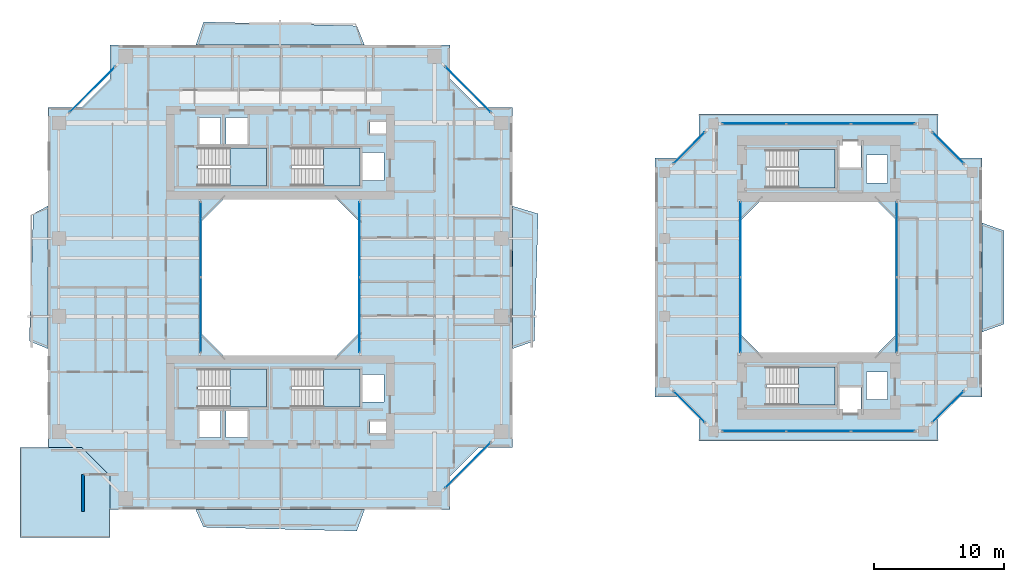
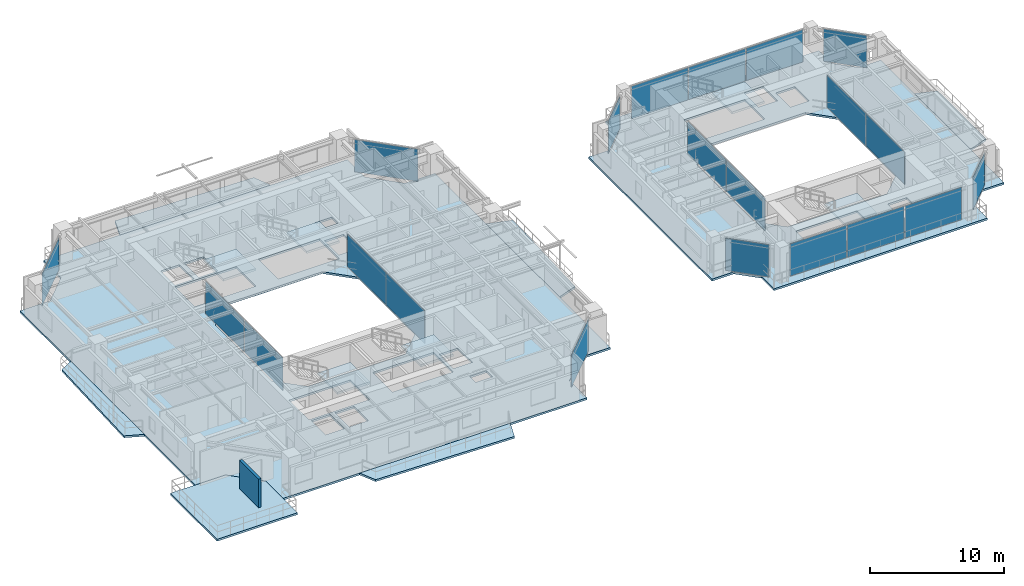
# One storey, part 11 of 23: 21 plates, 14 slabs, 1 wall, 19 elements without a shape of their own.
"""IFC4 building model written with IfcOpenShell, lengths in metres."""

from ifc_helpers import new_model, si_unit, direction, frame, frame_2d, origin, origin_2d, place, context, subcontext, project, spatial, polyline, rectangle, outline, extrude, source, transform, mapped, material, layer, layer_set, type_object, element, aggregate, save


model = new_model("IFC4")

# Units and contexts
model_context = context("Model", 3, precision=1e-05, world=origin(), true_north=direction((0.0, 1.0)))
body_context = subcontext(model_context, "Body", "Model", "MODEL_VIEW")
ifc_project = project(units=[si_unit("LENGTHUNIT", "METRE"), si_unit("AREAUNIT", "SQUARE_METRE"), si_unit("VOLUMEUNIT", "CUBIC_METRE"), si_unit("PLANEANGLEUNIT", "RADIAN"), si_unit("MASSUNIT", "GRAM", prefix="KILO"), si_unit("THERMODYNAMICTEMPERATUREUNIT", "KELVIN"), si_unit("POWERUNIT", "WATT")], contexts=[model_context])

# Site, building, storey
site_placement = place(None, origin())
site = spatial("IfcSite", under=ifc_project, at=site_placement, CompositionType="ELEMENT")
building_placement = place(site_placement, origin())
building = spatial("IfcBuilding", under=site, at=building_placement, Name="Qiaomeng Ring Towers", CompositionType="ELEMENT")
storey_placement = place(building_placement, frame((0.0, 0.0, 103.5)))
storey = spatial("IfcBuildingStorey", under=building, at=storey_placement, Name="L29", CompositionType="ELEMENT", Elevation=103.5)

# Slabs
ifc_material_1 = material(Name="Concrete C40", Category="concrete")
ifc_layer_1 = layer(ifc_material_1, 0.179931640625, Name="Concrete C40")
ifc_layer_set_1 = layer_set([ifc_layer_1], Name="Concrete C40")
slab_type_1 = type_object("IfcSlabType", Name="STR-SL-180", PredefinedType="FLOOR", material=ifc_layer_set_1)
slab_1_placement = place(storey_placement, frame((0.0, 0.0, -0.179931640625)))
element("IfcSlab", 1, at=slab_1_placement, inside=storey, type_object=slab_type_1, Name="L29 Tower 1 Annular Floor Slab", PredefinedType="FLOOR", context=body_context, shape_type="SweptSolid", body=[
    extrude(outline(polyline([(5.89990234375, 5.10009765625), (32.10009765625, 5.10009765625), (32.10009765625, 7.699951171875), (34.300048828125, 9.89990234375), (36.89990234375, 9.89990234375), (36.89990234375, 36.10009765625), (34.300048828125, 36.10009765625), (32.10009765625, 38.300048828125), (32.10009765625, 40.89990234375), (5.89990234375, 40.89990234375), (5.89990234375, 38.300048828125), (3.699951171875, 36.10009765625), (1.10009765625, 36.10009765625), (1.10009765625, 9.89990234375), (3.699951171875, 9.89990234375), (5.89990234375, 7.699951171875), (5.89990234375, 5.10009765625)]), holes=[polyline([(12.780029296875, 10.679931640625), (12.780029296875, 12.820068359375), (14.419921875, 12.820068359375), (14.419921875, 10.679931640625), (12.780029296875, 10.679931640625)]), polyline([(14.830078125, 12.820068359375), (16.469970703125, 12.820068359375), (16.469970703125, 10.679931640625), (14.830078125, 10.679931640625), (14.830078125, 12.820068359375)]), polyline([(12.679931640625, 15.949951171875), (17.949951171875, 15.949951171875), (17.949951171875, 13.010009765625), (12.679931640625, 13.010009765625), (12.679931640625, 15.949951171875)]), polyline([(23.199951171875, 29.199951171875), (25.199951171875, 27.199951171875), (25.199951171875, 18.800048828125), (23.199951171875, 16.800048828125), (14.800048828125, 16.800048828125), (12.800048828125, 18.800048828125), (12.800048828125, 27.199951171875), (14.800048828125, 29.199951171875), (23.199951171875, 29.199951171875)]), polyline([(12.679931640625, 32.989990234375), (17.949951171875, 32.989990234375), (17.949951171875, 30.050048828125), (12.679931640625, 30.050048828125), (12.679931640625, 32.989990234375)]), polyline([(12.780029296875, 35.320068359375), (14.419921875, 35.320068359375), (14.419921875, 33.179931640625), (12.780029296875, 33.179931640625), (12.780029296875, 35.320068359375)]), polyline([(14.830078125, 33.179931640625), (14.830078125, 35.320068359375), (16.469970703125, 35.320068359375), (16.469970703125, 33.179931640625), (14.830078125, 33.179931640625)]), polyline([(25.919921875, 11.89990234375), (27.360107421875, 11.89990234375), (27.360107421875, 11.0), (25.919921875, 11.0), (25.919921875, 11.89990234375)]), polyline([(25.360107421875, 15.52001953125), (27.0, 15.52001953125), (27.0, 13.3798828125), (25.360107421875, 13.3798828125), (25.360107421875, 15.52001953125)]), polyline([(19.8798828125, 15.949951171875), (25.14990234375, 15.949951171875), (25.14990234375, 13.010009765625), (19.8798828125, 13.010009765625), (19.8798828125, 15.949951171875)]), polyline([(19.8798828125, 32.989990234375), (25.14990234375, 32.989990234375), (25.14990234375, 30.050048828125), (19.8798828125, 30.050048828125), (19.8798828125, 32.989990234375)]), polyline([(25.360107421875, 32.6201171875), (27.0, 32.6201171875), (27.0, 30.47998046875), (25.360107421875, 30.47998046875), (25.360107421875, 32.6201171875)]), polyline([(25.919921875, 35.0), (27.360107421875, 35.0), (27.360107421875, 34.10009765625), (25.919921875, 34.10009765625), (25.919921875, 35.0)])]), origin(), (0.0, 0.0, 1.0), 0.179931640625),
])
slab_2_placement = place(storey_placement, frame((0.0, 0.0, -0.179931640625)))
element("IfcSlab", 2, at=slab_2_placement, inside=storey, type_object=slab_type_1, Name="L29 Companion Tower 2 Annular Floor Slab", PredefinedType="FLOOR", context=body_context, shape_type="SweptSolid", body=[
    extrude(outline(polyline([(51.300048828125, 10.39990234375), (69.699951171875, 10.39990234375), (69.699951171875, 12.300048828125), (71.199951171875, 13.800048828125), (73.10009765625, 13.800048828125), (73.10009765625, 32.199951171875), (71.199951171875, 32.199951171875), (69.699951171875, 33.699951171875), (69.699951171875, 35.60009765625), (51.300048828125, 35.60009765625), (51.300048828125, 33.699951171875), (49.800048828125, 32.199951171875), (47.89990234375, 32.199951171875), (47.89990234375, 13.800048828125), (49.800048828125, 13.800048828125), (51.300048828125, 12.300048828125), (51.300048828125, 10.39990234375)]), holes=[polyline([(62.1298828125, 12.3798828125), (62.1298828125, 14.52001953125), (63.77001953125, 14.52001953125), (63.77001953125, 12.3798828125), (62.1298828125, 12.3798828125)]), polyline([(56.47998046875, 13.159912109375), (56.47998046875, 16.10009765625), (61.75, 16.10009765625), (61.75, 13.159912109375), (56.47998046875, 13.159912109375)]), polyline([(64.179931640625, 13.580078125), (64.179931640625, 15.719970703125), (65.820068359375, 15.719970703125), (65.820068359375, 13.580078125), (64.179931640625, 13.580078125)]), polyline([(64.800048828125, 29.10009765625), (66.60009765625, 27.300048828125), (66.60009765625, 18.699951171875), (64.800048828125, 16.89990234375), (56.199951171875, 16.89990234375), (54.39990234375, 18.699951171875), (54.39990234375, 27.300048828125), (56.199951171875, 29.10009765625), (64.800048828125, 29.10009765625)]), polyline([(64.179931640625, 30.280029296875), (64.179931640625, 32.419921875), (65.820068359375, 32.419921875), (65.820068359375, 30.280029296875), (64.179931640625, 30.280029296875)]), polyline([(56.47998046875, 32.840087890625), (61.75, 32.840087890625), (61.75, 29.89990234375), (56.47998046875, 29.89990234375), (56.47998046875, 32.840087890625)]), polyline([(62.1298828125, 33.6201171875), (63.77001953125, 33.6201171875), (63.77001953125, 31.47998046875), (62.1298828125, 31.47998046875), (62.1298828125, 33.6201171875)])]), origin(), (0.0, 0.0, 1.0), 0.179931640625),
])
ifc_layer_2 = layer(ifc_material_1, 0.179931640625, Name="Concrete C40")
ifc_layer_set_2 = layer_set([ifc_layer_2], Name="Concrete C40")
slab_type_2 = type_object("IfcSlabType", Name="STR-SL-BAL", PredefinedType="FLOOR", material=ifc_layer_set_2)
slab_3_placement = place(storey_placement, frame((0.0, 0.0, -0.179931640625)))
element("IfcSlab", 3, at=slab_3_placement, inside=storey, type_object=slab_type_2, Name="L29 Tower 1 S Faceted Balcony Slab", PredefinedType="FLOOR", context=body_context, shape_type="SweptSolid", body=[
    extrude(outline(polyline([(24.89990234375, 3.449951171875), (13.10009765625, 3.75), (12.5, 5.10009765625), (25.5, 5.10009765625), (24.89990234375, 3.449951171875)])), origin(), (0.0, 0.0, 1.0), 0.179931640625),
])
slab_4_placement = place(storey_placement, frame((0.0, 0.0, -0.179931640625)))
element("IfcSlab", 4, at=slab_4_placement, inside=storey, type_object=slab_type_2, Name="L29 Tower 1 E Faceted Balcony Slab", PredefinedType="FLOOR", context=body_context, shape_type="SweptSolid", body=[
    extrude(outline(polyline([(38.889892578125, 27.89990234375), (38.590087890625, 18.10009765625), (36.89990234375, 17.5), (36.89990234375, 28.5), (38.889892578125, 27.89990234375)])), origin(), (0.0, 0.0, 1.0), 0.179931640625),
])
slab_5_placement = place(storey_placement, frame((0.0, 0.0, -0.179931640625)))
element("IfcSlab", 5, at=slab_5_placement, inside=storey, type_object=slab_type_2, Name="L29 Tower 1 N Faceted Balcony Slab", PredefinedType="FLOOR", context=body_context, shape_type="SweptSolid", body=[
    extrude(outline(polyline([(12.5, 40.89990234375), (13.10009765625, 42.68994140625), (24.89990234375, 42.389892578125), (25.5, 40.89990234375), (12.5, 40.89990234375)])), origin(), (0.0, 0.0, 1.0), 0.179931640625),
])
slab_6_placement = place(storey_placement, frame((0.0, 0.0, -0.179931640625)))
element("IfcSlab", 6, at=slab_6_placement, inside=storey, type_object=slab_type_2, Name="L29 Tower 1 W Faceted Balcony Slab", PredefinedType="FLOOR", context=body_context, shape_type="SweptSolid", body=[
    extrude(outline(polyline([(-0.330078125, 18.10009765625), (-0.030029296875, 27.89990234375), (1.10009765625, 28.5), (1.10009765625, 17.5), (-0.330078125, 18.10009765625)])), origin(), (0.0, 0.0, 1.0), 0.179931640625),
])
slab_7_placement = place(storey_placement, frame((0.0, 0.0, -0.179931640625)))
element("IfcSlab", 7, at=slab_7_placement, inside=storey, type_object=slab_type_2, Name="L29 Companion East Faceted Balcony Slab", PredefinedType="FLOOR", context=body_context, shape_type="SweptSolid", body=[
    extrude(outline(polyline([(74.7900390625, 26.60009765625), (74.7900390625, 19.39990234375), (73.10009765625, 18.800048828125), (73.10009765625, 27.199951171875), (74.7900390625, 26.60009765625)])), origin(), (0.0, 0.0, 1.0), 0.179931640625),
])

# Stair, slab
ifc_material_2 = material(Name="Precast concrete C40", Category="concrete")
stair_type = type_object("IfcStairType", Name="ARC-ST-325", PredefinedType="HALF_TURN_STAIR", material=ifc_material_2)
stair_1_placement = place(storey_placement, origin())
stair_1 = element("IfcStair", 8, at=stair_1_placement, inside=storey, type_object=stair_type, Name="L29 Tower 1 North Stair 1", PredefinedType="HALF_TURN_STAIR")
ifc_layer_3 = layer(ifc_material_1, 0.199951171875, Name="Concrete C40")
ifc_layer_set_3 = layer_set([ifc_layer_3], Name="Concrete C40")
slab_type_3 = type_object("IfcSlabType", Name="STR-SL-LANDING", PredefinedType="LANDING", material=ifc_layer_set_3)
slab_8_placement = place(storey_placement, frame((0.0, 0.0, 1.425048828125)))
slab_8 = element("IfcSlab", 9, at=slab_8_placement, type_object=slab_type_3, Name="ST1 landing 1", PredefinedType="LANDING", context=body_context, shape_type="SweptSolid", body=[
    extrude(outline(polyline([(15.139892578125, 30.050048828125), (17.949951171875, 30.050048828125), (17.949951171875, 32.989990234375), (15.139892578125, 32.989990234375), (15.139892578125, 30.050048828125)])), origin(), (0.0, 0.0, 1.0), 0.199951171875),
])
aggregate(stair_1, [slab_8])

stair_2_placement = place(storey_placement, origin())
stair_2 = element("IfcStair", 10, at=stair_2_placement, inside=storey, type_object=stair_type, Name="L29 Tower 1 North Stair 2", PredefinedType="HALF_TURN_STAIR")
slab_9_placement = place(storey_placement, frame((0.0, 0.0, 1.425048828125)))
slab_9 = element("IfcSlab", 11, at=slab_9_placement, type_object=slab_type_3, Name="ST2 landing 1", PredefinedType="LANDING", context=body_context, shape_type="SweptSolid", body=[
    extrude(outline(polyline([(22.340087890625, 30.050048828125), (25.14990234375, 30.050048828125), (25.14990234375, 32.989990234375), (22.340087890625, 32.989990234375), (22.340087890625, 30.050048828125)])), origin(), (0.0, 0.0, 1.0), 0.199951171875),
])
aggregate(stair_2, [slab_9])

stair_3_placement = place(storey_placement, origin())
stair_3 = element("IfcStair", 12, at=stair_3_placement, inside=storey, type_object=stair_type, Name="L29 Tower 1 South Stair 3", PredefinedType="HALF_TURN_STAIR")
slab_10_placement = place(storey_placement, frame((0.0, 0.0, 1.425048828125)))
slab_10 = element("IfcSlab", 13, at=slab_10_placement, type_object=slab_type_3, Name="ST3 landing 1", PredefinedType="LANDING", context=body_context, shape_type="SweptSolid", body=[
    extrude(outline(polyline([(15.139892578125, 13.010009765625), (17.949951171875, 13.010009765625), (17.949951171875, 15.949951171875), (15.139892578125, 15.949951171875), (15.139892578125, 13.010009765625)])), origin(), (0.0, 0.0, 1.0), 0.199951171875),
])
aggregate(stair_3, [slab_10])

stair_4_placement = place(storey_placement, origin())
stair_4 = element("IfcStair", 14, at=stair_4_placement, inside=storey, type_object=stair_type, Name="L29 Tower 1 South Stair 4", PredefinedType="HALF_TURN_STAIR")
slab_11_placement = place(storey_placement, frame((0.0, 0.0, 1.425048828125)))
slab_11 = element("IfcSlab", 15, at=slab_11_placement, type_object=slab_type_3, Name="ST4 landing 1", PredefinedType="LANDING", context=body_context, shape_type="SweptSolid", body=[
    extrude(outline(polyline([(22.340087890625, 13.010009765625), (25.14990234375, 13.010009765625), (25.14990234375, 15.949951171875), (22.340087890625, 15.949951171875), (22.340087890625, 13.010009765625)])), origin(), (0.0, 0.0, 1.0), 0.199951171875),
])
aggregate(stair_4, [slab_11])

stair_5_placement = place(storey_placement, origin())
stair_5 = element("IfcStair", 16, at=stair_5_placement, inside=storey, type_object=stair_type, Name="L29 Companion North Stair 5", PredefinedType="HALF_TURN_STAIR")
slab_12_placement = place(storey_placement, frame((0.0, 0.0, 1.425048828125)))
slab_12 = element("IfcSlab", 17, at=slab_12_placement, type_object=slab_type_3, Name="ST5 landing 1", PredefinedType="LANDING", context=body_context, shape_type="SweptSolid", body=[
    extrude(outline(polyline([(58.93994140625, 29.89990234375), (61.75, 29.89990234375), (61.75, 32.840087890625), (58.93994140625, 32.840087890625), (58.93994140625, 29.89990234375)])), origin(), (0.0, 0.0, 1.0), 0.199951171875),
])
aggregate(stair_5, [slab_12])

stair_6_placement = place(storey_placement, origin())
stair_6 = element("IfcStair", 18, at=stair_6_placement, inside=storey, type_object=stair_type, Name="L29 Companion South Stair 6", PredefinedType="HALF_TURN_STAIR")
slab_13_placement = place(storey_placement, frame((0.0, 0.0, 1.425048828125)))
slab_13 = element("IfcSlab", 19, at=slab_13_placement, type_object=slab_type_3, Name="ST6 landing 1", PredefinedType="LANDING", context=body_context, shape_type="SweptSolid", body=[
    extrude(outline(polyline([(58.93994140625, 13.159912109375), (61.75, 13.159912109375), (61.75, 16.10009765625), (58.93994140625, 16.10009765625), (58.93994140625, 13.159912109375)])), origin(), (0.0, 0.0, 1.0), 0.199951171875),
])
aggregate(stair_6, [slab_13])

# Slab
ifc_layer_4 = layer(ifc_material_1, 0.179931640625, Name="Concrete C40")
ifc_layer_set_4 = layer_set([ifc_layer_4], Name="Concrete C40")
slab_type_4 = type_object("IfcSlabType", Name="STR-SL-TERR180", PredefinedType="FLOOR", material=ifc_layer_set_4)
slab_14_placement = place(storey_placement, frame((0.0, 0.0, -0.179931640625)))
element("IfcSlab", 20, at=slab_14_placement, inside=storey, type_object=slab_type_4, Name="L29 Spiralling Corner Sky Terrace SW", PredefinedType="FLOOR", context=body_context, shape_type="SweptSolid", body=[
    extrude(outline(polyline([(5.89990234375, 2.949951171875), (-1.050048828125, 2.949951171875), (-1.050048828125, 9.89990234375), (1.10009765625, 9.89990234375), (1.10009765625, 9.89990234375), (3.699951171875, 9.89990234375), (5.89990234375, 7.699951171875), (5.89990234375, 5.10009765625), (5.89990234375, 5.10009765625), (5.89990234375, 2.949951171875)])), origin(), (0.0, 0.0, 1.0), 0.179931640625),
])

# Curtain wall, plates
ifc_material_3 = material(Name="Fluorocarbon dark-grey aluminium", Category="aluminium")
ifc_layer_5 = layer(ifc_material_3, 0.139892578125, Name="Fluorocarbon dark-grey aluminium")
ifc_layer_set_5 = layer_set([ifc_layer_5], Name="Fluorocarbon dark-grey aluminium")
curtain_wall_type_1 = type_object("IfcCurtainWallType", Name="ARC-CW-4", PredefinedType="NOTDEFINED", material=ifc_layer_set_5)
curtain_wall_1_placement = place(storey_placement, origin())
curtain_wall_1 = element("IfcCurtainWall", 21, at=curtain_wall_1_placement, inside=storey, type_object=curtain_wall_type_1, Name="L29 Curtain Wall CW4", PredefinedType="NOTDEFINED")
ifc_material_4 = material(Name="Low-E dark-grey laminated double glazing", Category="glass")
ifc_layer_6 = layer(ifc_material_4, 0.028076171875, Name="Low-E dark-grey laminated double glazing")
ifc_layer_set_6 = layer_set([ifc_layer_6], Name="Low-E dark-grey laminated double glazing")
plate_type = type_object("IfcPlateType", Name="ARC-CWP-DARK", PredefinedType="CURTAIN_PANEL", material=ifc_layer_set_6)
shared_shape_1 = source(origin(), body_context, "Body", "SweptSolid", [
    extrude(rectangle(XDim=5.75244140625, YDim=0.028076171875, at=origin_2d()), origin(), (0.0, 0.0, 1.0), 2.93994140625),
])
plate_1_placement = place(storey_placement, frame((12.8798828125, 20.09130859375, 0.06494140625), z_axis=(0.0, 0.0, 1.0), x_axis=(0.0, 1.0, 0.0)))
plate_1 = element("IfcPlate", 22, at=plate_1_placement, type_object=plate_type, Name="CW4 panel 1.1", PredefinedType="CURTAIN_PANEL", context=body_context, shape_type="MappedRepresentation", body=[
    mapped(shared_shape_1, transform((0.0, 0.0, 0.0), x_axis=(1.0, 0.0, 0.0), y_axis=(0.0, 1.0, 0.0), z_axis=(0.0, 0.0, 1.0), scale=1.0)),
])
plate_2_placement = place(storey_placement, frame((12.8798828125, 25.90869140625, 0.06494140625), z_axis=(0.0, 0.0, 1.0), x_axis=(0.0, 1.0, 0.0)))
plate_2 = element("IfcPlate", 23, at=plate_2_placement, type_object=plate_type, Name="CW4 panel 2.1", PredefinedType="CURTAIN_PANEL", context=body_context, shape_type="MappedRepresentation", body=[
    mapped(shared_shape_1, transform((0.0, 0.0, 0.0), x_axis=(1.0, 0.0, 0.0), y_axis=(0.0, 1.0, 0.0), z_axis=(0.0, 0.0, 1.0), scale=1.0)),
])
aggregate(curtain_wall_1, [plate_1, plate_2])

curtain_wall_2_placement = place(storey_placement, origin())
curtain_wall_2 = element("IfcCurtainWall", 24, at=curtain_wall_2_placement, inside=storey, type_object=curtain_wall_type_1, Name="L29 Curtain Wall CW4", PredefinedType="NOTDEFINED")
plate_3_placement = place(storey_placement, frame((25.1201171875, 20.09130859375, 0.06494140625), z_axis=(0.0, 0.0, 1.0), x_axis=(0.0, 1.0, 0.0)))
plate_3 = element("IfcPlate", 25, at=plate_3_placement, type_object=plate_type, Name="CW4 panel 1.1", PredefinedType="CURTAIN_PANEL", context=body_context, shape_type="MappedRepresentation", body=[
    mapped(shared_shape_1, transform((0.0, 0.0, 0.0), x_axis=(1.0, 0.0, 0.0), y_axis=(0.0, 1.0, 0.0), z_axis=(0.0, 0.0, 1.0), scale=1.0)),
])
plate_4_placement = place(storey_placement, frame((25.1201171875, 25.90869140625, 0.06494140625), z_axis=(0.0, 0.0, 1.0), x_axis=(0.0, 1.0, 0.0)))
plate_4 = element("IfcPlate", 26, at=plate_4_placement, type_object=plate_type, Name="CW4 panel 2.1", PredefinedType="CURTAIN_PANEL", context=body_context, shape_type="MappedRepresentation", body=[
    mapped(shared_shape_1, transform((0.0, 0.0, 0.0), x_axis=(1.0, 0.0, 0.0), y_axis=(0.0, 1.0, 0.0), z_axis=(0.0, 0.0, 1.0), scale=1.0)),
])
aggregate(curtain_wall_2, [plate_3, plate_4])

curtain_wall_3_placement = place(storey_placement, origin())
curtain_wall_3 = element("IfcCurtainWall", 27, at=curtain_wall_3_placement, inside=storey, type_object=curtain_wall_type_1, Name="L29 Curtain Wall CW4", PredefinedType="NOTDEFINED")
plate_5_placement = place(storey_placement, frame((54.47998046875, 20.09130859375, 0.06494140625), z_axis=(0.0, 0.0, 1.0), x_axis=(0.0, 1.0, 0.0)))
plate_5 = element("IfcPlate", 28, at=plate_5_placement, type_object=plate_type, Name="CW4 panel 1.1", PredefinedType="CURTAIN_PANEL", context=body_context, shape_type="MappedRepresentation", body=[
    mapped(shared_shape_1, transform((0.0, 0.0, 0.0), x_axis=(1.0, 0.0, 0.0), y_axis=(0.0, 1.0, 0.0), z_axis=(0.0, 0.0, 1.0), scale=1.0)),
])
plate_6_placement = place(storey_placement, frame((54.47998046875, 25.90869140625, 0.06494140625), z_axis=(0.0, 0.0, 1.0), x_axis=(0.0, 1.0, 0.0)))
plate_6 = element("IfcPlate", 29, at=plate_6_placement, type_object=plate_type, Name="CW4 panel 2.1", PredefinedType="CURTAIN_PANEL", context=body_context, shape_type="MappedRepresentation", body=[
    mapped(shared_shape_1, transform((0.0, 0.0, 0.0), x_axis=(1.0, 0.0, 0.0), y_axis=(0.0, 1.0, 0.0), z_axis=(0.0, 0.0, 1.0), scale=1.0)),
])
aggregate(curtain_wall_3, [plate_5, plate_6])

curtain_wall_4_placement = place(storey_placement, origin())
curtain_wall_4 = element("IfcCurtainWall", 30, at=curtain_wall_4_placement, inside=storey, type_object=curtain_wall_type_1, Name="L29 Curtain Wall CW4", PredefinedType="NOTDEFINED")
plate_7_placement = place(storey_placement, frame((66.52001953125, 20.09130859375, 0.06494140625), z_axis=(0.0, 0.0, 1.0), x_axis=(0.0, 1.0, 0.0)))
plate_7 = element("IfcPlate", 31, at=plate_7_placement, type_object=plate_type, Name="CW4 panel 1.1", PredefinedType="CURTAIN_PANEL", context=body_context, shape_type="MappedRepresentation", body=[
    mapped(shared_shape_1, transform((0.0, 0.0, 0.0), x_axis=(1.0, 0.0, 0.0), y_axis=(0.0, 1.0, 0.0), z_axis=(0.0, 0.0, 1.0), scale=1.0)),
])
plate_8_placement = place(storey_placement, frame((66.52001953125, 25.90869140625, 0.06494140625), z_axis=(0.0, 0.0, 1.0), x_axis=(0.0, 1.0, 0.0)))
plate_8 = element("IfcPlate", 32, at=plate_8_placement, type_object=plate_type, Name="CW4 panel 2.1", PredefinedType="CURTAIN_PANEL", context=body_context, shape_type="MappedRepresentation", body=[
    mapped(shared_shape_1, transform((0.0, 0.0, 0.0), x_axis=(1.0, 0.0, 0.0), y_axis=(0.0, 1.0, 0.0), z_axis=(0.0, 0.0, 1.0), scale=1.0)),
])
aggregate(curtain_wall_4, [plate_7, plate_8])

ifc_layer_7 = layer(ifc_material_3, 0.14990234375, Name="Fluorocarbon dark-grey aluminium")
ifc_layer_set_7 = layer_set([ifc_layer_7], Name="Fluorocarbon dark-grey aluminium")
curtain_wall_type_2 = type_object("IfcCurtainWallType", Name="ARC-CW-5", PredefinedType="NOTDEFINED", material=ifc_layer_set_7)
curtain_wall_5_placement = place(storey_placement, origin())
curtain_wall_5 = element("IfcCurtainWall", 33, at=curtain_wall_5_placement, inside=storey, type_object=curtain_wall_type_2, Name="L29 Curtain Wall CW5", PredefinedType="NOTDEFINED")
shared_shape_2 = source(origin(), body_context, "Body", "SweptSolid", [
    extrude(rectangle(XDim=4.868408203125, YDim=0.028076171875, at=origin_2d()), origin(), (0.0, 0.0, 1.0), 2.93994140625),
])
plate_9_placement = place(storey_placement, frame((55.544189453125, 34.85009765625, 0.06494140625), z_axis=(0.0, 0.0, 1.0), x_axis=(1.0, 0.0, 0.0)))
plate_9 = element("IfcPlate", 34, at=plate_9_placement, type_object=plate_type, Name="CW5 panel 1.1", PredefinedType="CURTAIN_PANEL", context=body_context, shape_type="MappedRepresentation", body=[
    mapped(shared_shape_2, transform((0.0, 0.0, 0.0), x_axis=(1.0, 0.0, 0.0), y_axis=(0.0, 1.0, 0.0), z_axis=(0.0, 0.0, 1.0), scale=1.0)),
])
plate_10_placement = place(storey_placement, frame((65.455810546875, 34.85009765625, 0.06494140625), z_axis=(0.0, 0.0, 1.0), x_axis=(1.0, 0.0, 0.0)))
plate_10 = element("IfcPlate", 35, at=plate_10_placement, type_object=plate_type, Name="CW5 panel 3.1", PredefinedType="CURTAIN_PANEL", context=body_context, shape_type="MappedRepresentation", body=[
    mapped(shared_shape_2, transform((0.0, 0.0, 0.0), x_axis=(1.0, 0.0, 0.0), y_axis=(0.0, 1.0, 0.0), z_axis=(0.0, 0.0, 1.0), scale=1.0)),
])

curtain_wall_6_placement = place(storey_placement, origin())
curtain_wall_6 = element("IfcCurtainWall", 36, at=curtain_wall_6_placement, inside=storey, type_object=curtain_wall_type_2, Name="L29 Curtain Wall CW5", PredefinedType="NOTDEFINED")
plate_11_placement = place(storey_placement, frame((55.544189453125, 11.14990234375, 0.06494140625), z_axis=(0.0, 0.0, 1.0), x_axis=(1.0, 0.0, 0.0)))
plate_11 = element("IfcPlate", 37, at=plate_11_placement, type_object=plate_type, Name="CW5 panel 1.1", PredefinedType="CURTAIN_PANEL", context=body_context, shape_type="MappedRepresentation", body=[
    mapped(shared_shape_2, transform((0.0, 0.0, 0.0), x_axis=(1.0, 0.0, 0.0), y_axis=(0.0, 1.0, 0.0), z_axis=(0.0, 0.0, 1.0), scale=1.0)),
])
plate_12_placement = place(storey_placement, frame((65.455810546875, 11.14990234375, 0.06494140625), z_axis=(0.0, 0.0, 1.0), x_axis=(1.0, 0.0, 0.0)))
plate_12 = element("IfcPlate", 38, at=plate_12_placement, type_object=plate_type, Name="CW5 panel 3.1", PredefinedType="CURTAIN_PANEL", context=body_context, shape_type="MappedRepresentation", body=[
    mapped(shared_shape_2, transform((0.0, 0.0, 0.0), x_axis=(1.0, 0.0, 0.0), y_axis=(0.0, 1.0, 0.0), z_axis=(0.0, 0.0, 1.0), scale=1.0)),
])

# Plate
shared_shape_3 = source(origin(), body_context, "Body", "SweptSolid", [
    extrude(rectangle(XDim=4.9033203125, YDim=0.028076171875, at=origin_2d()), origin(), (0.0, 0.0, 1.0), 2.93994140625),
])
plate_13_placement = place(storey_placement, frame((60.5, 34.85009765625, 0.06494140625), z_axis=(0.0, 0.0, 1.0), x_axis=(1.0, 0.0, 0.0)))
plate_13 = element("IfcPlate", 39, at=plate_13_placement, type_object=plate_type, Name="CW5 panel 2.1", PredefinedType="CURTAIN_PANEL", context=body_context, shape_type="MappedRepresentation", body=[
    mapped(shared_shape_3, transform((0.0, 0.0, 0.0), x_axis=(1.0, 0.0, 0.0), y_axis=(0.0, 1.0, 0.0), z_axis=(0.0, 0.0, 1.0), scale=1.0)),
])

aggregate(curtain_wall_5, [plate_9, plate_13, plate_10])

plate_14_placement = place(storey_placement, frame((60.5, 11.14990234375, 0.06494140625), z_axis=(0.0, 0.0, 1.0), x_axis=(1.0, 0.0, 0.0)))
plate_14 = element("IfcPlate", 40, at=plate_14_placement, type_object=plate_type, Name="CW5 panel 2.1", PredefinedType="CURTAIN_PANEL", context=body_context, shape_type="MappedRepresentation", body=[
    mapped(shared_shape_3, transform((0.0, 0.0, 0.0), x_axis=(1.0, 0.0, 0.0), y_axis=(0.0, 1.0, 0.0), z_axis=(0.0, 0.0, 1.0), scale=1.0)),
])

aggregate(curtain_wall_6, [plate_11, plate_14, plate_12])

# Curtain wall, plate
curtain_wall_7_placement = place(storey_placement, origin())
curtain_wall_7 = element("IfcCurtainWall", 41, at=curtain_wall_7_placement, inside=storey, type_object=curtain_wall_type_2, Name="L29 Curtain Wall CW5", PredefinedType="NOTDEFINED")
shared_shape_4 = source(origin(), body_context, "Body", "SweptSolid", [
    extrude(rectangle(XDim=3.35302734375, YDim=0.028076171875, at=origin_2d()), origin(), (0.0, 0.0, 1.0), 2.93994140625),
])
plate_15_placement = place(storey_placement, frame((70.47509765625, 13.02490234375, 0.06494140625), z_axis=(0.0, 0.0, 1.0), x_axis=(0.707106781187, 0.707106781187, 0.0)))
plate_15 = element("IfcPlate", 42, at=plate_15_placement, type_object=plate_type, Name="CW5 panel 1.1", PredefinedType="CURTAIN_PANEL", context=body_context, shape_type="MappedRepresentation", body=[
    mapped(shared_shape_4, transform((0.0, 0.0, 0.0), x_axis=(1.0, 0.0, 0.0), y_axis=(0.0, 1.0, 0.0), z_axis=(0.0, 0.0, 1.0), scale=1.0)),
])
aggregate(curtain_wall_7, [plate_15])

curtain_wall_8_placement = place(storey_placement, origin())
curtain_wall_8 = element("IfcCurtainWall", 43, at=curtain_wall_8_placement, inside=storey, type_object=curtain_wall_type_2, Name="L29 Curtain Wall CW5", PredefinedType="NOTDEFINED")
plate_16_placement = place(storey_placement, frame((70.47509765625, 32.97509765625, 0.06494140625), z_axis=(0.0, 0.0, 1.0), x_axis=(-0.707106781187, 0.707106781187, 0.0)))
plate_16 = element("IfcPlate", 44, at=plate_16_placement, type_object=plate_type, Name="CW5 panel 1.1", PredefinedType="CURTAIN_PANEL", context=body_context, shape_type="MappedRepresentation", body=[
    mapped(shared_shape_4, transform((0.0, 0.0, 0.0), x_axis=(1.0, 0.0, 0.0), y_axis=(0.0, 1.0, 0.0), z_axis=(0.0, 0.0, 1.0), scale=1.0)),
])
aggregate(curtain_wall_8, [plate_16])

curtain_wall_9_placement = place(storey_placement, origin())
curtain_wall_9 = element("IfcCurtainWall", 45, at=curtain_wall_9_placement, inside=storey, type_object=curtain_wall_type_2, Name="L29 Curtain Wall CW5", PredefinedType="NOTDEFINED")
plate_17_placement = place(storey_placement, frame((50.52490234375, 32.97509765625, 0.06494140625), z_axis=(0.0, 0.0, 1.0), x_axis=(-0.707106781187, -0.707106781187, 0.0)))
plate_17 = element("IfcPlate", 46, at=plate_17_placement, type_object=plate_type, Name="CW5 panel 1.1", PredefinedType="CURTAIN_PANEL", context=body_context, shape_type="MappedRepresentation", body=[
    mapped(shared_shape_4, transform((0.0, 0.0, 0.0), x_axis=(1.0, 0.0, 0.0), y_axis=(0.0, 1.0, 0.0), z_axis=(0.0, 0.0, 1.0), scale=1.0)),
])
aggregate(curtain_wall_9, [plate_17])

curtain_wall_10_placement = place(storey_placement, origin())
curtain_wall_10 = element("IfcCurtainWall", 47, at=curtain_wall_10_placement, inside=storey, type_object=curtain_wall_type_2, Name="L29 Curtain Wall CW5", PredefinedType="NOTDEFINED")
plate_18_placement = place(storey_placement, frame((50.52490234375, 13.02490234375, 0.06494140625), z_axis=(0.0, 0.0, 1.0), x_axis=(0.707106781187, -0.707106781187, 0.0)))
plate_18 = element("IfcPlate", 48, at=plate_18_placement, type_object=plate_type, Name="CW5 panel 1.1", PredefinedType="CURTAIN_PANEL", context=body_context, shape_type="MappedRepresentation", body=[
    mapped(shared_shape_4, transform((0.0, 0.0, 0.0), x_axis=(1.0, 0.0, 0.0), y_axis=(0.0, 1.0, 0.0), z_axis=(0.0, 0.0, 1.0), scale=1.0)),
])
aggregate(curtain_wall_10, [plate_18])

ifc_layer_8 = layer(ifc_material_3, 0.14990234375, Name="Fluorocarbon dark-grey aluminium")
ifc_layer_set_8 = layer_set([ifc_layer_8], Name="Fluorocarbon dark-grey aluminium")
curtain_wall_type_3 = type_object("IfcCurtainWallType", Name="ARC-CW-3", PredefinedType="NOTDEFINED", material=ifc_layer_set_8)
curtain_wall_11_placement = place(storey_placement, origin())
curtain_wall_11 = element("IfcCurtainWall", 49, at=curtain_wall_11_placement, inside=storey, type_object=curtain_wall_type_3, Name="L29 Curtain Wall CW3", PredefinedType="NOTDEFINED")
shared_shape_5 = source(origin(), body_context, "Body", "SweptSolid", [
    extrude(rectangle(XDim=4.90869140625, YDim=0.028076171875, at=origin_2d()), origin(), (0.0, 0.0, 1.0), 2.93994140625),
])
plate_19_placement = place(storey_placement, frame((33.47509765625, 8.52490234375, 0.06494140625), z_axis=(0.0, 0.0, 1.0), x_axis=(0.707106781187, 0.707106781187, 0.0)))
plate_19 = element("IfcPlate", 50, at=plate_19_placement, type_object=plate_type, Name="CW3 panel 1.1", PredefinedType="CURTAIN_PANEL", context=body_context, shape_type="MappedRepresentation", body=[
    mapped(shared_shape_5, transform((0.0, 0.0, 0.0), x_axis=(1.0, 0.0, 0.0), y_axis=(0.0, 1.0, 0.0), z_axis=(0.0, 0.0, 1.0), scale=1.0)),
])
aggregate(curtain_wall_11, [plate_19])

curtain_wall_12_placement = place(storey_placement, origin())
curtain_wall_12 = element("IfcCurtainWall", 51, at=curtain_wall_12_placement, inside=storey, type_object=curtain_wall_type_3, Name="L29 Curtain Wall CW3", PredefinedType="NOTDEFINED")
plate_20_placement = place(storey_placement, frame((33.47509765625, 37.47509765625, 0.06494140625), z_axis=(0.0, 0.0, 1.0), x_axis=(-0.707106781187, 0.707106781187, 0.0)))
plate_20 = element("IfcPlate", 52, at=plate_20_placement, type_object=plate_type, Name="CW3 panel 1.1", PredefinedType="CURTAIN_PANEL", context=body_context, shape_type="MappedRepresentation", body=[
    mapped(shared_shape_5, transform((0.0, 0.0, 0.0), x_axis=(1.0, 0.0, 0.0), y_axis=(0.0, 1.0, 0.0), z_axis=(0.0, 0.0, 1.0), scale=1.0)),
])
aggregate(curtain_wall_12, [plate_20])

curtain_wall_13_placement = place(storey_placement, origin())
curtain_wall_13 = element("IfcCurtainWall", 53, at=curtain_wall_13_placement, inside=storey, type_object=curtain_wall_type_3, Name="L29 Curtain Wall CW3", PredefinedType="NOTDEFINED")
plate_21_placement = place(storey_placement, frame((4.52490234375, 37.47509765625, 0.06494140625), z_axis=(0.0, 0.0, 1.0), x_axis=(-0.707106781187, -0.707106781187, 0.0)))
plate_21 = element("IfcPlate", 54, at=plate_21_placement, type_object=plate_type, Name="CW3 panel 1.1", PredefinedType="CURTAIN_PANEL", context=body_context, shape_type="MappedRepresentation", body=[
    mapped(shared_shape_5, transform((0.0, 0.0, 0.0), x_axis=(1.0, 0.0, 0.0), y_axis=(0.0, 1.0, 0.0), z_axis=(0.0, 0.0, 1.0), scale=1.0)),
])
aggregate(curtain_wall_13, [plate_21])

# Wall
ifc_layer_9 = layer(ifc_material_2, 0.219970703125, Name="Precast concrete C40")
ifc_layer_set_9 = layer_set([ifc_layer_9], Name="Precast concrete C40")
wall_type = type_object("IfcWallType", Name="ARC-WL-EW2", PredefinedType="STANDARD", material=ifc_layer_set_9)
wall_placement = place(storey_placement, frame((3.81005859375, 4.949951171875, 0.0), z_axis=(0.0, 0.0, 1.0), x_axis=(0.0, 1.0, 0.0)))
element("IfcWall", 55, at=wall_placement, inside=storey, type_object=wall_type, Name="L29 Spiral Terrace Return Wall SW", PredefinedType="STANDARD", context=body_context, shape_type="SweptSolid", body=[
    extrude(rectangle(XDim=2.860107421875, YDim=0.219970703125, at=frame_2d((1.43017578125, 0.0))), origin(), (0.0, 0.0, 1.0), 2.610107421875),
])

save(model, "model.ifc")
